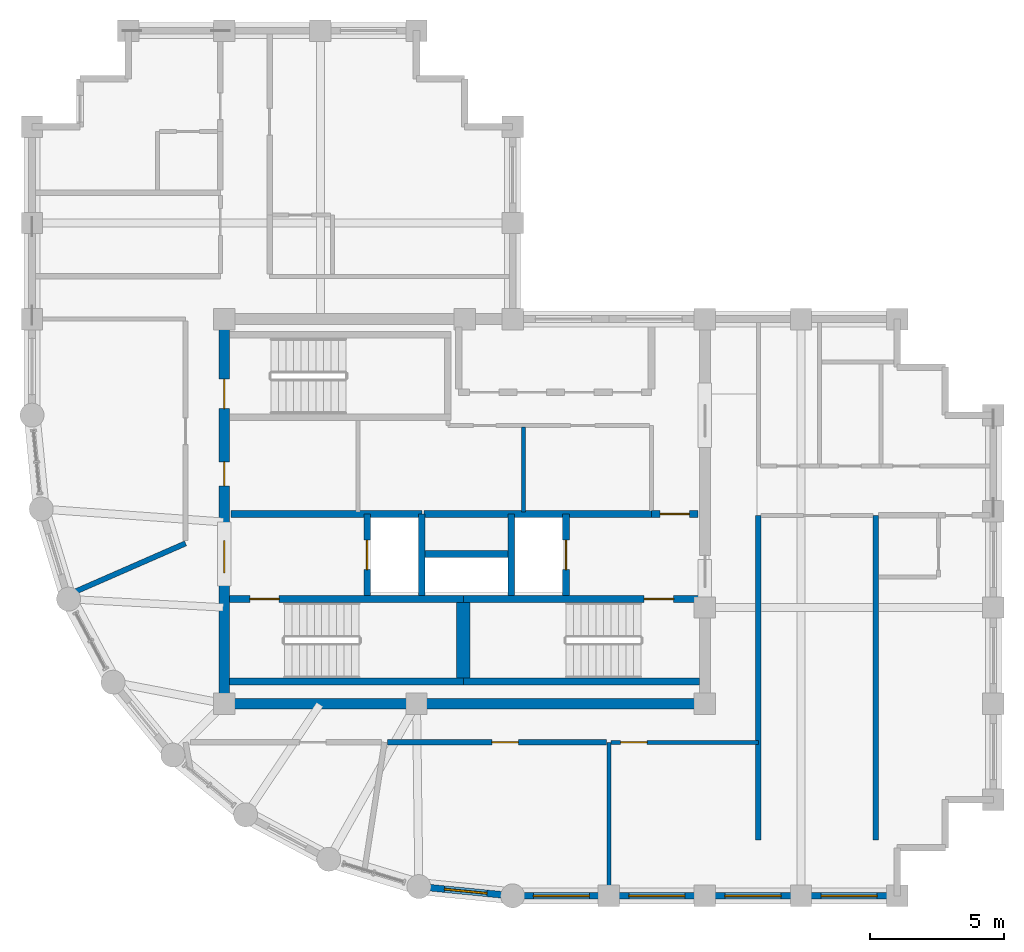
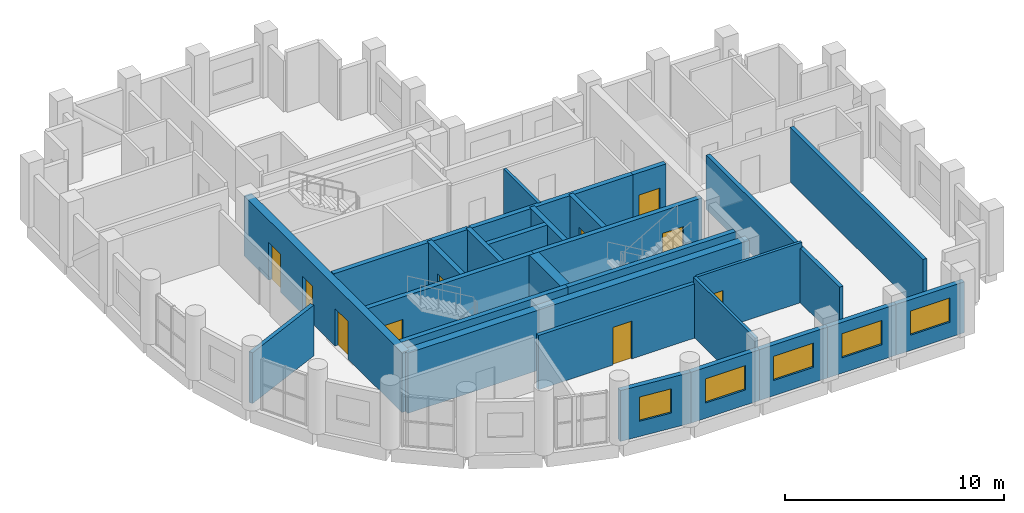
# One storey, part 7 of 11: 27 walls, 10 doors, 5 windows, 15 openings.
"""IFC4 building model written with IfcOpenShell, lengths in metres."""

from ifc_helpers import new_model, si_unit, direction, frame, frame_2d, origin, place, context, subcontext, project, spatial, rectangle, extrude, material, layer, layer_set, type_object, element, fill, save


model = new_model("IFC4")

# Units and contexts
model_context = context("Model", 3, precision=1e-05, world=origin(), true_north=direction((0.0, 1.0)))
body_context = subcontext(model_context, "Body", "Model", "MODEL_VIEW")
ifc_project = project(units=[si_unit("LENGTHUNIT", "METRE"), si_unit("AREAUNIT", "SQUARE_METRE"), si_unit("VOLUMEUNIT", "CUBIC_METRE"), si_unit("PLANEANGLEUNIT", "RADIAN"), si_unit("MASSUNIT", "GRAM", prefix="KILO")], contexts=[model_context])

# Site, building, storey
site_placement = place(None, origin())
site = spatial("IfcSite", under=ifc_project, at=site_placement, CompositionType="ELEMENT")
building_placement = place(site_placement, origin())
building = spatial("IfcBuilding", under=site, at=building_placement, Name="Solnavia Interchange Tower", CompositionType="ELEMENT")
storey_placement = place(building_placement, frame((0.0, 0.0, 239.0)))
storey = spatial("IfcBuildingStorey", under=building, at=storey_placement, Name="L60", CompositionType="ELEMENT", Elevation=239.0)

# Wall
ifc_material_1 = material(Name="Gypsum Acoustic Twin-Stud & Mineral Wool", Category="gypsum")
ifc_layer_1 = layer(ifc_material_1, 0.199951171875)
ifc_layer_set_1 = layer_set([ifc_layer_1], Name="Gypsum Acoustic Twin-Stud & Mineral Wool")
wall_type_1 = type_object("IfcWallType", Name="Wall-ApartmentParty-200", PredefinedType="PARTITIONING", material=ifc_layer_set_1)
wall_1_placement = place(storey_placement, frame((12.949951171875, 16.800048828125, 0.0), z_axis=(0.0, 0.0, 1.0), x_axis=(-0.916090997314, -0.400970428635, 0.0)))
element("IfcWall", 1, at=wall_1_placement, inside=storey, type_object=wall_type_1, Name="PTW-L60-09 Interior partition wall", PredefinedType="PARTITIONING", context=body_context, shape_type="SweptSolid", body=[
    extrude(rectangle(XDim=4.73095703125, YDim=0.199951171875, at=frame_2d((2.365478515625, 0.0))), origin(), (0.0, 0.0, 1.0), 2.830078125),
])

# Wall, opening, door
wall_2_placement = place(storey_placement, frame((20.50390625, 9.35009765625, 0.0), z_axis=(0.0, 0.0, 1.0), x_axis=(1.0, 0.0, 0.0)))
wall_2 = element("IfcWall", 2, at=wall_2_placement, inside=storey, type_object=wall_type_1, Name="PTW-L60-15 Interior partition wall", PredefinedType="PARTITIONING", context=body_context, shape_type="SweptSolid", body=[
    extrude(rectangle(XDim=8.217041015625, YDim=0.199951171875, at=frame_2d((4.1083984375, 0.0))), origin(), (0.0, 0.0, 1.0), 3.02001953125),
])
opening_1_placement = place(wall_2_placement, frame((3.9140625, 0.0, 0.0)))
opening_1 = element("IfcOpeningElement", 3, at=opening_1_placement, cuts=wall_2, Name="Opening DR-07", PredefinedType="OPENING", context=body_context, shape_type="SweptSolid", body=[
    extrude(rectangle(XDim=1.0, YDim=2.10009765625, at=frame_2d((0.5, 1.050048828125))), frame((0.0, 0.10986328125, 0.0), z_axis=(0.0, -1.0, 0.0), x_axis=(1.0, 0.0, 0.0)), (0.0, 0.0, 1.0), 0.219970703125),
])
ifc_material_2 = material(Name="Timber & Acoustic Glazed Office Door", Category="wood")
door_type_1 = type_object("IfcDoorType", Name="Door-Office-1000x2100", OperationType="SINGLE_SWING_RIGHT", PredefinedType="DOOR", material=ifc_material_2)
door_1_placement = place(opening_1_placement, origin())
door_1 = element("IfcDoor", 4, at=door_1_placement, inside=storey, type_object=door_type_1, Name="DR-L60-06 Interior room door", OperationType="SINGLE_SWING_RIGHT", OverallHeight=2.10009765625, OverallWidth=1.0, PredefinedType="DOOR", context=body_context, shape_type="SweptSolid", body=[
    extrude(rectangle(XDim=1.0, YDim=2.10009765625, at=frame_2d((0.5, 1.050048828125))), frame((0.0, 0.02490234375, 0.0), z_axis=(0.0, -1.0, 0.0), x_axis=(1.0, 0.0, 0.0)), (0.0, 0.0, 1.0), 0.050048828125),
])
fill(opening_1, door_1)

# Walls
for number, where, z_axis, x_axis, name in (
    (5, (34.39990234375, 5.699951171875, 0.0), (0.0, 0.0, 1.0), (0.0, 1.0, 0.0), "PTW-L60-17 Interior partition wall"),
    (6, (38.800048828125, 5.699951171875, 0.0), (0.0, 0.0, 1.0), (0.0, 1.0, 0.0), "PTW-L60-18 Interior partition wall"),
):
    element("IfcWall", number, at=place(storey_placement, frame(where, z_axis=z_axis, x_axis=x_axis)), inside=storey, type_object=wall_type_1, Name=name, PredefinedType="PARTITIONING", context=body_context, shape_type="SweptSolid", body=[
        extrude(rectangle(XDim=12.150146484375, YDim=0.199951171875, at=frame_2d((6.0751953125, 0.0))), origin(), (0.0, 0.0, 1.0), 3.030029296875),
    ])

# Wall, opening, window
ifc_material_3 = material(Name="Concrete C40/50", Category="concrete")
ifc_layer_2 = layer(ifc_material_3, 0.25)
ifc_layer_set_2 = layer_set([ifc_layer_2], Name="Concrete C40/50")
wall_type_2 = type_object("IfcWallType", Name="Wall-ExtSpandrel-250", PredefinedType="STANDARD", material=ifc_layer_set_2)
wall_3_placement = place(storey_placement, frame((28.800048828125, 3.60009765625, 0.0), z_axis=(0.0, 0.0, 1.0), x_axis=(-1.0, 0.0, 0.0)))
wall_3 = element("IfcWall", 7, at=wall_3_placement, inside=storey, type_object=wall_type_2, Name="EXW-L60-01 Exterior precast spandrel wall", PredefinedType="STANDARD", context=body_context, shape_type="SweptSolid", body=[
    extrude(rectangle(XDim=3.60009765625, YDim=0.25, at=frame_2d((1.800048828125, 0.0))), origin(), (0.0, 0.0, 1.0), 2.830078125),
])
opening_2_placement = place(wall_3_placement, frame((0.72509765625, 0.0, 0.85009765625)))
opening_2 = element("IfcOpeningElement", 8, at=opening_2_placement, cuts=wall_3, Name="Opening WIN-01", PredefinedType="OPENING", context=body_context, shape_type="SweptSolid", body=[
    extrude(rectangle(XDim=2.10009765625, YDim=1.35009765625, at=frame_2d((1.050048828125, 0.675048828125))), frame((0.0, 0.135009765625, 0.0), z_axis=(0.0, -1.0, 0.0), x_axis=(1.0, 0.0, 0.0)), (0.0, 0.0, 1.0), 0.27001953125),
])
ifc_material_4 = material(Name="Thermal-Break Aluminium & Low-E Glass", Category="aluminium")
window_type_1 = type_object("IfcWindowType", Name="Window-Ribbon-2100x1350", PartitioningType="SINGLE_PANEL", PredefinedType="WINDOW", material=ifc_material_4)
window_1_placement = place(opening_2_placement, origin())
window_1 = element("IfcWindow", 9, at=window_1_placement, inside=storey, type_object=window_type_1, Name="WIN-L60-01 Facade ribbon window", OverallHeight=1.35009765625, OverallWidth=2.10009765625, PartitioningType="SINGLE_PANEL", PredefinedType="WINDOW", context=body_context, shape_type="SweptSolid", body=[
    extrude(rectangle(XDim=2.10009765625, YDim=1.35009765625, at=frame_2d((1.050048828125, 0.675048828125))), frame((0.0, 0.030029296875, 0.0), z_axis=(0.0, -1.0, 0.0), x_axis=(1.0, 0.0, 0.0)), (0.0, 0.0, 1.0), 0.06005859375),
])
fill(opening_2, window_1)

wall_4_placement = place(storey_placement, frame((32.39990234375, 3.60009765625, 0.0), z_axis=(0.0, 0.0, 1.0), x_axis=(-1.0, 0.0, 0.0)))
wall_4 = element("IfcWall", 10, at=wall_4_placement, inside=storey, type_object=wall_type_2, Name="EXW-L60-02 Exterior precast spandrel wall", PredefinedType="STANDARD", context=body_context, shape_type="SweptSolid", body=[
    extrude(rectangle(XDim=3.599853515625, YDim=0.25, at=frame_2d((1.7998046875, 0.0))), origin(), (0.0, 0.0, 1.0), 2.830078125),
])
opening_3_placement = place(wall_4_placement, frame((0.75, 0.0, 0.85009765625)))
opening_3 = element("IfcOpeningElement", 11, at=opening_3_placement, cuts=wall_4, Name="Opening WIN-01", PredefinedType="OPENING", context=body_context, shape_type="SweptSolid", body=[
    extrude(rectangle(XDim=2.10009765625, YDim=1.35009765625, at=frame_2d((1.050048828125, 0.675048828125))), frame((0.0, 0.135009765625, 0.0), z_axis=(0.0, -1.0, 0.0), x_axis=(1.0, 0.0, 0.0)), (0.0, 0.0, 1.0), 0.27001953125),
])
window_2_placement = place(opening_3_placement, origin())
window_2 = element("IfcWindow", 12, at=window_2_placement, inside=storey, type_object=window_type_1, Name="WIN-L60-02 Facade ribbon window", OverallHeight=1.35009765625, OverallWidth=2.10009765625, PartitioningType="SINGLE_PANEL", PredefinedType="WINDOW", context=body_context, shape_type="SweptSolid", body=[
    extrude(rectangle(XDim=2.10009765625, YDim=1.35009765625, at=frame_2d((1.050048828125, 0.675048828125))), frame((0.0, 0.030029296875, 0.0), z_axis=(0.0, -1.0, 0.0), x_axis=(1.0, 0.0, 0.0)), (0.0, 0.0, 1.0), 0.06005859375),
])
fill(opening_3, window_2)

wall_5_placement = place(storey_placement, frame((36.0, 3.60009765625, 0.0), z_axis=(0.0, 0.0, 1.0), x_axis=(-1.0, 0.0, 0.0)))
wall_5 = element("IfcWall", 13, at=wall_5_placement, inside=storey, type_object=wall_type_2, Name="EXW-L60-03 Exterior precast spandrel wall", PredefinedType="STANDARD", context=body_context, shape_type="SweptSolid", body=[
    extrude(rectangle(XDim=3.60009765625, YDim=0.25, at=frame_2d((1.800048828125, 0.0))), origin(), (0.0, 0.0, 1.0), 2.830078125),
])
opening_4_placement = place(wall_5_placement, frame((0.75, 0.0, 0.85009765625)))
opening_4 = element("IfcOpeningElement", 14, at=opening_4_placement, cuts=wall_5, Name="Opening WIN-01", PredefinedType="OPENING", context=body_context, shape_type="SweptSolid", body=[
    extrude(rectangle(XDim=2.10009765625, YDim=1.35009765625, at=frame_2d((1.050048828125, 0.675048828125))), frame((0.0, 0.135009765625, 0.0), z_axis=(0.0, -1.0, 0.0), x_axis=(1.0, 0.0, 0.0)), (0.0, 0.0, 1.0), 0.27001953125),
])
window_3_placement = place(opening_4_placement, origin())
window_3 = element("IfcWindow", 15, at=window_3_placement, inside=storey, type_object=window_type_1, Name="WIN-L60-03 Facade ribbon window", OverallHeight=1.35009765625, OverallWidth=2.10009765625, PartitioningType="SINGLE_PANEL", PredefinedType="WINDOW", context=body_context, shape_type="SweptSolid", body=[
    extrude(rectangle(XDim=2.10009765625, YDim=1.35009765625, at=frame_2d((1.050048828125, 0.675048828125))), frame((0.0, 0.030029296875, 0.0), z_axis=(0.0, -1.0, 0.0), x_axis=(1.0, 0.0, 0.0)), (0.0, 0.0, 1.0), 0.06005859375),
])
fill(opening_4, window_3)

wall_6_placement = place(storey_placement, frame((39.60009765625, 3.60009765625, 0.0), z_axis=(0.0, 0.0, 1.0), x_axis=(-1.0, 0.0, 0.0)))
wall_6 = element("IfcWall", 16, at=wall_6_placement, inside=storey, type_object=wall_type_2, Name="EXW-L60-04 Exterior precast spandrel wall", PredefinedType="STANDARD", context=body_context, shape_type="SweptSolid", body=[
    extrude(rectangle(XDim=3.60009765625, YDim=0.25, at=frame_2d((1.800048828125, 0.0))), origin(), (0.0, 0.0, 1.0), 2.830078125),
])
opening_5_placement = place(wall_6_placement, frame((0.75, 0.0, 0.85009765625)))
opening_5 = element("IfcOpeningElement", 17, at=opening_5_placement, cuts=wall_6, Name="Opening WIN-01", PredefinedType="OPENING", context=body_context, shape_type="SweptSolid", body=[
    extrude(rectangle(XDim=2.10009765625, YDim=1.35009765625, at=frame_2d((1.050048828125, 0.675048828125))), frame((0.0, 0.135009765625, 0.0), z_axis=(0.0, -1.0, 0.0), x_axis=(1.0, 0.0, 0.0)), (0.0, 0.0, 1.0), 0.27001953125),
])
window_4_placement = place(opening_5_placement, origin())
window_4 = element("IfcWindow", 18, at=window_4_placement, inside=storey, type_object=window_type_1, Name="WIN-L60-04 Facade ribbon window", OverallHeight=1.35009765625, OverallWidth=2.10009765625, PartitioningType="SINGLE_PANEL", PredefinedType="WINDOW", context=body_context, shape_type="SweptSolid", body=[
    extrude(rectangle(XDim=2.10009765625, YDim=1.35009765625, at=frame_2d((1.050048828125, 0.675048828125))), frame((0.0, 0.030029296875, 0.0), z_axis=(0.0, -1.0, 0.0), x_axis=(1.0, 0.0, 0.0)), (0.0, 0.0, 1.0), 0.06005859375),
])
fill(opening_5, window_4)

wall_7_placement = place(storey_placement, frame((25.199951171875, 3.60009765625, 0.0), z_axis=(0.0, 0.0, 1.0), x_axis=(-0.995183369056, 0.098030923459, 0.0)))
wall_7 = element("IfcWall", 19, at=wall_7_placement, inside=storey, type_object=wall_type_2, Name="EXW-L60-44 Exterior precast spandrel wall", PredefinedType="STANDARD", context=body_context, shape_type="SweptSolid", body=[
    extrude(rectangle(XDim=3.529052734375, YDim=0.25, at=frame_2d((1.7646484375, 0.0))), origin(), (0.0, 0.0, 1.0), 2.830078125),
])
opening_6_placement = place(wall_7_placement, frame((0.965087890625, 0.0, 0.85009765625)))
opening_6 = element("IfcOpeningElement", 20, at=opening_6_placement, cuts=wall_7, Name="Opening WIN-04", PredefinedType="OPENING", context=body_context, shape_type="SweptSolid", body=[
    extrude(rectangle(XDim=1.60009765625, YDim=1.35009765625, at=frame_2d((0.800048828125, 0.675048828125))), frame((0.0, 0.135009765625, 0.0), z_axis=(0.0, -1.0, 0.0), x_axis=(1.0, 0.0, 0.0)), (0.0, 0.0, 1.0), 0.27001953125),
])
window_type_2 = type_object("IfcWindowType", Name="Window-Drum-1600x1350", PartitioningType="SINGLE_PANEL", PredefinedType="WINDOW", material=ifc_material_4)
window_5_placement = place(opening_6_placement, origin())
window_5 = element("IfcWindow", 21, at=window_5_placement, inside=storey, type_object=window_type_2, Name="WIN-L60-44 Facade ribbon window", OverallHeight=1.35009765625, OverallWidth=1.60009765625, PartitioningType="SINGLE_PANEL", PredefinedType="WINDOW", context=body_context, shape_type="SweptSolid", body=[
    extrude(rectangle(XDim=1.60009765625, YDim=1.35009765625, at=frame_2d((0.800048828125, 0.675048828125))), frame((0.0, 0.030029296875, 0.0), z_axis=(0.0, -1.0, 0.0), x_axis=(1.0, 0.0, 0.0)), (0.0, 0.0, 1.0), 0.06005859375),
])
fill(opening_6, window_5)

# Walls
ifc_material_5 = material(Name="Gypsum Plasterboard & Steel Stud", Category="steel")
ifc_layer_3 = layer(ifc_material_5, 0.14990234375)
ifc_layer_set_3 = layer_set([ifc_layer_3], Name="Gypsum Plasterboard & Steel Stud")
wall_type_3 = type_object("IfcWallType", Name="Wall-Partition-150", PredefinedType="PARTITIONING", material=ifc_layer_set_3)
wall_8_placement = place(storey_placement, frame((25.60009765625, 17.97998046875, 0.0), z_axis=(0.0, 0.0, 1.0), x_axis=(0.0, 1.0, 0.0)))
element("IfcWall", 22, at=wall_8_placement, inside=storey, type_object=wall_type_3, Name="CSW-L60-M2 Core shaft wall", PredefinedType="PARTITIONING", context=body_context, shape_type="SweptSolid", body=[
    extrude(rectangle(XDim=3.169921875, YDim=0.14990234375, at=frame_2d((1.5849609375, 0.0))), origin(), (0.0, 0.0, 1.0), 3.3349609375),
])
wall_9_placement = place(storey_placement, frame((28.800048828125, 9.35009765625, 0.0), z_axis=(0.0, 0.0, 1.0), x_axis=(0.0, -1.0, 0.0)))
element("IfcWall", 23, at=wall_9_placement, inside=storey, type_object=wall_type_3, Name="PTW-L60-08 Interior partition wall", PredefinedType="PARTITIONING", context=body_context, shape_type="SweptSolid", body=[
    extrude(rectangle(XDim=5.62109375, YDim=0.14990234375, at=frame_2d((2.810546875, 0.0))), origin(), (0.0, 0.0, 1.0), 3.3349609375),
])

# Wall, opening, door
wall_10_placement = place(storey_placement, frame((28.87890625, 9.35009765625, 0.0), z_axis=(0.0, 0.0, 1.0), x_axis=(1.0, 0.0, 0.0)))
wall_10 = element("IfcWall", 24, at=wall_10_placement, inside=storey, type_object=wall_type_3, Name="PTW-L60-16 Interior partition wall", PredefinedType="PARTITIONING", context=body_context, shape_type="SweptSolid", body=[
    extrude(rectangle(XDim=5.52099609375, YDim=0.14990234375, at=frame_2d((2.760498046875, 0.0))), origin(), (0.0, 0.0, 1.0), 3.3349609375),
])
opening_7_placement = place(wall_10_placement, frame((0.360107421875, 0.0, 0.0)))
opening_7 = element("IfcOpeningElement", 25, at=opening_7_placement, cuts=wall_10, Name="Opening DR-07", PredefinedType="OPENING", context=body_context, shape_type="SweptSolid", body=[
    extrude(rectangle(XDim=1.0, YDim=2.10009765625, at=frame_2d((0.5, 1.050048828125))), frame((0.0, 0.0849609375, 0.0), z_axis=(0.0, -1.0, 0.0), x_axis=(1.0, 0.0, 0.0)), (0.0, 0.0, 1.0), 0.169921875),
])
door_2_placement = place(opening_7_placement, origin())
door_2 = element("IfcDoor", 26, at=door_2_placement, inside=storey, type_object=door_type_1, Name="DR-L60-07 Interior room door", OperationType="SINGLE_SWING_LEFT", OverallHeight=2.10009765625, OverallWidth=1.0, PredefinedType="DOOR", context=body_context, shape_type="SweptSolid", body=[
    extrude(rectangle(XDim=1.0, YDim=2.10009765625, at=frame_2d((0.5, 1.050048828125))), frame((0.0, 0.02490234375, 0.0), z_axis=(0.0, -1.0, 0.0), x_axis=(1.0, 0.0, 0.0)), (0.0, 0.0, 1.0), 0.050048828125),
])
fill(opening_7, door_2)

# Wall
ifc_layer_4 = layer(ifc_material_3, 0.25)
ifc_layer_set_4 = layer_set([ifc_layer_4], Name="Concrete C40/50")
wall_type_4 = type_object("IfcWallType", Name="Wall-ShaftCore-250", PredefinedType="SHEAR", material=ifc_layer_set_4)
wall_11_placement = place(storey_placement, frame((14.60009765625, 11.625, 0.0), z_axis=(0.0, 0.0, 1.0), x_axis=(1.0, 0.0, 0.0)))
element("IfcWall", 27, at=wall_11_placement, inside=storey, type_object=wall_type_4, Name="SHW-L60-ST1S Core shear wall", PredefinedType="SHEAR", context=body_context, shape_type="SweptSolid", body=[
    extrude(rectangle(XDim=8.75, YDim=0.25, at=frame_2d((4.375, 0.0))), origin(), (0.0, 0.0, 1.0), 3.35009765625),
])

# Wall, opening, door
wall_12_placement = place(storey_placement, frame((14.60009765625, 14.715087890625, 0.0), z_axis=(0.0, 0.0, 1.0), x_axis=(1.0, 0.0, 0.0)))
wall_12 = element("IfcWall", 28, at=wall_12_placement, inside=storey, type_object=wall_type_4, Name="SHW-L60-ST1N Core shear wall", PredefinedType="SHEAR", context=body_context, shape_type="SweptSolid", body=[
    extrude(rectangle(XDim=8.75, YDim=0.25, at=frame_2d((4.375, 0.0))), origin(), (0.0, 0.0, 1.0), 3.35009765625),
])
opening_8_placement = place(wall_12_placement, frame((0.7548828125, 0.0, 0.0)))
opening_8 = element("IfcOpeningElement", 29, at=opening_8_placement, cuts=wall_12, Name="Opening DR-01", PredefinedType="OPENING", context=body_context, shape_type="SweptSolid", body=[
    extrude(rectangle(XDim=1.10009765625, YDim=2.10009765625, at=frame_2d((0.550048828125, 1.050048828125))), frame((0.0, 0.135009765625, 0.0), z_axis=(0.0, -1.0, 0.0), x_axis=(1.0, 0.0, 0.0)), (0.0, 0.0, 1.0), 0.27001953125),
])
ifc_material_6 = material(Name="Steel Fire-Rated Leaf & Frame", Category="steel")
door_type_2 = type_object("IfcDoorType", Name="Door-StairFire-1100x2100", OperationType="SINGLE_SWING_LEFT", PredefinedType="DOOR", material=ifc_material_6)
door_3_placement = place(opening_8_placement, origin())
door_3 = element("IfcDoor", 30, at=door_3_placement, inside=storey, type_object=door_type_2, Name="DR-L60-ST1 Core fire door", OperationType="SINGLE_SWING_LEFT", OverallHeight=2.10009765625, OverallWidth=1.10009765625, PredefinedType="DOOR", context=body_context, shape_type="SweptSolid", body=[
    extrude(rectangle(XDim=1.10009765625, YDim=2.10009765625, at=frame_2d((0.550048828125, 1.050048828125))), frame((0.0, 0.02490234375, 0.0), z_axis=(0.0, -1.0, 0.0), x_axis=(1.0, 0.0, 0.0)), (0.0, 0.0, 1.0), 0.050048828125),
])
fill(opening_8, door_3)

# Wall
wall_13_placement = place(storey_placement, frame((23.35009765625, 11.625, 0.0), z_axis=(0.0, 0.0, 1.0), x_axis=(1.0, 0.0, 0.0)))
element("IfcWall", 31, at=wall_13_placement, inside=storey, type_object=wall_type_4, Name="SHW-L60-ST2S Core shear wall", PredefinedType="SHEAR", context=body_context, shape_type="SweptSolid", body=[
    extrude(rectangle(XDim=8.849853515625, YDim=0.25, at=frame_2d((4.4248046875, 0.0))), origin(), (0.0, 0.0, 1.0), 3.35009765625),
])

# Wall, opening, door
wall_14_placement = place(storey_placement, frame((23.35009765625, 14.715087890625, 0.0), z_axis=(0.0, 0.0, 1.0), x_axis=(1.0, 0.0, 0.0)))
wall_14 = element("IfcWall", 32, at=wall_14_placement, inside=storey, type_object=wall_type_4, Name="SHW-L60-ST2N Core shear wall", PredefinedType="SHEAR", context=body_context, shape_type="SweptSolid", body=[
    extrude(rectangle(XDim=8.849853515625, YDim=0.25, at=frame_2d((4.4248046875, 0.0))), origin(), (0.0, 0.0, 1.0), 3.35009765625),
])
opening_9_placement = place(wall_14_placement, frame((6.77490234375, 0.0, 0.0)))
opening_9 = element("IfcOpeningElement", 33, at=opening_9_placement, cuts=wall_14, Name="Opening DR-01", PredefinedType="OPENING", context=body_context, shape_type="SweptSolid", body=[
    extrude(rectangle(XDim=1.10009765625, YDim=2.10009765625, at=frame_2d((0.550048828125, 1.050048828125))), frame((0.0, 0.135009765625, 0.0), z_axis=(0.0, -1.0, 0.0), x_axis=(1.0, 0.0, 0.0)), (0.0, 0.0, 1.0), 0.27001953125),
])
door_4_placement = place(opening_9_placement, origin())
door_4 = element("IfcDoor", 34, at=door_4_placement, inside=storey, type_object=door_type_2, Name="DR-L60-ST2 Core fire door", OperationType="SINGLE_SWING_LEFT", OverallHeight=2.10009765625, OverallWidth=1.10009765625, PredefinedType="DOOR", context=body_context, shape_type="SweptSolid", body=[
    extrude(rectangle(XDim=1.10009765625, YDim=2.10009765625, at=frame_2d((0.550048828125, 1.050048828125))), frame((0.0, 0.02490234375, 0.0), z_axis=(0.0, -1.0, 0.0), x_axis=(1.0, 0.0, 0.0)), (0.0, 0.0, 1.0), 0.050048828125),
])
fill(opening_9, door_4)

# Wall
ifc_layer_5 = layer(ifc_material_3, 0.25)
ifc_layer_set_5 = layer_set([ifc_layer_5], Name="Concrete C40/50")
wall_type_5 = type_object("IfcWallType", Name="Wall-ShaftPart-250", PredefinedType="PARTITIONING", material=ifc_layer_set_5)
wall_15_placement = place(storey_placement, frame((14.64990234375, 17.89990234375, 0.0), z_axis=(0.0, 0.0, 1.0), x_axis=(1.0, 0.0, 0.0)))
element("IfcWall", 35, at=wall_15_placement, inside=storey, type_object=wall_type_5, Name="SHW-L60-FFLW-N Core shaft wall", PredefinedType="PARTITIONING", context=body_context, shape_type="SweptSolid", body=[
    extrude(rectangle(XDim=7.150146484375, YDim=0.25, at=frame_2d((3.5751953125, 0.0))), origin(), (0.0, 0.0, 1.0), 3.3349609375),
])

# Wall, opening, door
wall_16_placement = place(storey_placement, frame((19.75, 14.840087890625, 0.0), z_axis=(0.0, 0.0, 1.0), x_axis=(0.0, 1.0, 0.0)))
wall_16 = element("IfcWall", 36, at=wall_16_placement, inside=storey, type_object=wall_type_5, Name="SHW-L60-FFL1-W Core shaft wall", PredefinedType="PARTITIONING", context=body_context, shape_type="SweptSolid", body=[
    extrude(rectangle(XDim=3.059814453125, YDim=0.25, at=frame_2d((1.52978515625, 0.0))), origin(), (0.0, 0.0, 1.0), 3.3349609375),
])
opening_10_placement = place(wall_16_placement, frame((0.97998046875, 0.0, 0.0)))
opening_10 = element("IfcOpeningElement", 37, at=opening_10_placement, cuts=wall_16, Name="Opening LD-01", PredefinedType="OPENING", context=body_context, shape_type="SweptSolid", body=[
    extrude(rectangle(XDim=1.10009765625, YDim=2.10009765625, at=frame_2d((0.550048828125, 1.050048828125))), frame((0.0, 0.135009765625, 0.0), z_axis=(0.0, -1.0, 0.0), x_axis=(1.0, 0.0, 0.0)), (0.0, 0.0, 1.0), 0.27001953125),
])
ifc_material_7 = material(Name="Brushed Stainless Steel Sliding Door", Category="steel")
door_type_3 = type_object("IfcDoorType", Name="Door-LiftLanding-1100x2100", OperationType="SLIDING_TO_LEFT", PredefinedType="DOOR", material=ifc_material_7)
door_5_placement = place(opening_10_placement, origin())
door_5 = element("IfcDoor", 38, at=door_5_placement, inside=storey, type_object=door_type_3, Name="LD-L60-FFL1 Lift landing sliding door", OperationType="SLIDING_TO_LEFT", OverallHeight=2.10009765625, OverallWidth=1.10009765625, PredefinedType="DOOR", context=body_context, shape_type="SweptSolid", body=[
    extrude(rectangle(XDim=1.10009765625, YDim=2.10009765625, at=frame_2d((0.550048828125, 1.050048828125))), frame((0.0, 0.02490234375, 0.0), z_axis=(0.0, -1.0, 0.0), x_axis=(1.0, 0.0, 0.0)), (0.0, 0.0, 1.0), 0.050048828125),
])
fill(opening_10, door_5)

# Walls
wall_17_placement = place(storey_placement, frame((21.800048828125, 14.840087890625, 0.0), z_axis=(0.0, 0.0, 1.0), x_axis=(0.0, 1.0, 0.0)))
element("IfcWall", 39, at=wall_17_placement, inside=storey, type_object=wall_type_5, Name="SHW-L60-FFL1-E Core shaft wall", PredefinedType="PARTITIONING", context=body_context, shape_type="SweptSolid", body=[
    extrude(rectangle(XDim=3.059814453125, YDim=0.25, at=frame_2d((1.52978515625, 0.0))), origin(), (0.0, 0.0, 1.0), 3.3349609375),
])
wall_18_placement = place(storey_placement, frame((21.8798828125, 17.89990234375, 0.0), z_axis=(0.0, 0.0, 1.0), x_axis=(1.0, 0.0, 0.0)))
element("IfcWall", 40, at=wall_18_placement, inside=storey, type_object=wall_type_5, Name="SHW-L60-FFLE-N1 Core shaft wall", PredefinedType="PARTITIONING", context=body_context, shape_type="SweptSolid", body=[
    extrude(rectangle(XDim=8.52001953125, YDim=0.25, at=frame_2d((4.260009765625, 0.0))), origin(), (0.0, 0.0, 1.0), 3.3349609375),
])

# Wall, opening, door
wall_19_placement = place(storey_placement, frame((30.39990234375, 17.89990234375, 0.0), z_axis=(0.0, 0.0, 1.0), x_axis=(1.0, 0.0, 0.0)))
wall_19 = element("IfcWall", 41, at=wall_19_placement, inside=storey, type_object=wall_type_5, Name="SHW-L60-FFLE-N2 Core shaft wall", PredefinedType="PARTITIONING", context=body_context, shape_type="SweptSolid", body=[
    extrude(rectangle(XDim=1.75, YDim=0.25, at=frame_2d((0.875, 0.0))), origin(), (0.0, 0.0, 1.0), 3.3349609375),
])
opening_11_placement = place(wall_19_placement, frame((0.320068359375, 0.0, 0.0)))
opening_11 = element("IfcOpeningElement", 42, at=opening_11_placement, cuts=wall_19, Name="Opening DR-01", PredefinedType="OPENING", context=body_context, shape_type="SweptSolid", body=[
    extrude(rectangle(XDim=1.10009765625, YDim=2.10009765625, at=frame_2d((0.550048828125, 1.050048828125))), frame((0.0, 0.135009765625, 0.0), z_axis=(0.0, -1.0, 0.0), x_axis=(1.0, 0.0, 0.0)), (0.0, 0.0, 1.0), 0.27001953125),
])
door_6_placement = place(opening_11_placement, origin())
door_6 = element("IfcDoor", 43, at=door_6_placement, inside=storey, type_object=door_type_2, Name="DR-L60-LLC Core fire door", OperationType="SINGLE_SWING_LEFT", OverallHeight=2.10009765625, OverallWidth=1.10009765625, PredefinedType="DOOR", context=body_context, shape_type="SweptSolid", body=[
    extrude(rectangle(XDim=1.10009765625, YDim=2.10009765625, at=frame_2d((0.550048828125, 1.050048828125))), frame((0.0, 0.02490234375, 0.0), z_axis=(0.0, -1.0, 0.0), x_axis=(1.0, 0.0, 0.0)), (0.0, 0.0, 1.0), 0.050048828125),
])
fill(opening_11, door_6)

# Wall
wall_20_placement = place(storey_placement, frame((25.14990234375, 14.840087890625, 0.0), z_axis=(0.0, 0.0, 1.0), x_axis=(0.0, 1.0, 0.0)))
element("IfcWall", 44, at=wall_20_placement, inside=storey, type_object=wall_type_5, Name="SHW-L60-FFL2-W Core shaft wall", PredefinedType="PARTITIONING", context=body_context, shape_type="SweptSolid", body=[
    extrude(rectangle(XDim=3.059814453125, YDim=0.25, at=frame_2d((1.52978515625, 0.0))), origin(), (0.0, 0.0, 1.0), 3.3349609375),
])

# Wall, opening, door
wall_21_placement = place(storey_placement, frame((27.199951171875, 14.840087890625, 0.0), z_axis=(0.0, 0.0, 1.0), x_axis=(0.0, 1.0, 0.0)))
wall_21 = element("IfcWall", 45, at=wall_21_placement, inside=storey, type_object=wall_type_5, Name="SHW-L60-FFL2-E Core shaft wall", PredefinedType="PARTITIONING", context=body_context, shape_type="SweptSolid", body=[
    extrude(rectangle(XDim=3.059814453125, YDim=0.25, at=frame_2d((1.52978515625, 0.0))), origin(), (0.0, 0.0, 1.0), 3.3349609375),
])
opening_12_placement = place(wall_21_placement, frame((0.97998046875, 0.0, 0.0)))
opening_12 = element("IfcOpeningElement", 46, at=opening_12_placement, cuts=wall_21, Name="Opening LD-01", PredefinedType="OPENING", context=body_context, shape_type="SweptSolid", body=[
    extrude(rectangle(XDim=1.10009765625, YDim=2.10009765625, at=frame_2d((0.550048828125, 1.050048828125))), frame((0.0, 0.135009765625, 0.0), z_axis=(0.0, -1.0, 0.0), x_axis=(1.0, 0.0, 0.0)), (0.0, 0.0, 1.0), 0.27001953125),
])
door_7_placement = place(opening_12_placement, origin())
door_7 = element("IfcDoor", 47, at=door_7_placement, inside=storey, type_object=door_type_3, Name="LD-L60-FFL2 Lift landing sliding door", OperationType="SLIDING_TO_LEFT", OverallHeight=2.10009765625, OverallWidth=1.10009765625, PredefinedType="DOOR", context=body_context, shape_type="SweptSolid", body=[
    extrude(rectangle(XDim=1.10009765625, YDim=2.10009765625, at=frame_2d((0.550048828125, 1.050048828125))), frame((0.0, 0.02490234375, 0.0), z_axis=(0.0, -1.0, 0.0), x_axis=(1.0, 0.0, 0.0)), (0.0, 0.0, 1.0), 0.050048828125),
])
fill(opening_12, door_7)

# Walls
wall_22_placement = place(storey_placement, frame((21.800048828125, 16.39990234375, 0.0), z_axis=(0.0, 0.0, 1.0), x_axis=(1.0, 0.0, 0.0)))
element("IfcWall", 48, at=wall_22_placement, inside=storey, type_object=wall_type_5, Name="SHW-L60-MEP-N Core shaft wall", PredefinedType="PARTITIONING", context=body_context, shape_type="SweptSolid", body=[
    extrude(rectangle(XDim=3.349853515625, YDim=0.25, at=frame_2d((1.6748046875, 0.0))), origin(), (0.0, 0.0, 1.0), 3.3349609375),
])
ifc_material_8 = material(Name="Concrete C50/60", Category="concrete")
ifc_layer_6 = layer(ifc_material_8, 0.39990234375)
ifc_layer_set_6 = layer_set([ifc_layer_6], Name="Concrete C50/60")
wall_type_6 = type_object("IfcWallType", Name="Wall-ShearCore-400", PredefinedType="SHEAR", material=ifc_layer_set_6)
wall_23_placement = place(storey_placement, frame((14.39990234375, 10.800048828125, 0.0), z_axis=(0.0, 0.0, 1.0), x_axis=(1.0, 0.0, 0.0)))
element("IfcWall", 49, at=wall_23_placement, inside=storey, type_object=wall_type_6, Name="CRW-L60-S Core shear wall", PredefinedType="SHEAR", context=body_context, shape_type="SweptSolid", body=[
    extrude(rectangle(XDim=18.0, YDim=0.39990234375, at=frame_2d((9.0, 0.0))), origin(), (0.0, 0.0, 1.0), 3.35009765625),
])

# Wall, openings, doors
wall_24_placement = place(storey_placement, frame((14.39990234375, 10.800048828125, 0.0), z_axis=(0.0, 0.0, 1.0), x_axis=(0.0, 1.0, 0.0)))
wall_24 = element("IfcWall", 50, at=wall_24_placement, inside=storey, type_object=wall_type_6, Name="CRW-L60-W Core shear wall", PredefinedType="SHEAR", context=body_context, shape_type="SweptSolid", body=[
    extrude(rectangle(XDim=14.39990234375, YDim=0.39990234375, at=frame_2d((7.199951171875, 0.0))), origin(), (0.0, 0.0, 1.0), 3.35009765625),
])
opening_13_placement = place(wall_24_placement, frame((11.050048828125, 0.0, 0.0)))
opening_13 = element("IfcOpeningElement", 51, at=opening_13_placement, cuts=wall_24, Name="Opening DR-01", PredefinedType="OPENING", context=body_context, shape_type="SweptSolid", body=[
    extrude(rectangle(XDim=1.10009765625, YDim=2.10009765625, at=frame_2d((0.550048828125, 1.050048828125))), frame((0.0, 0.2099609375, 0.0), z_axis=(0.0, -1.0, 0.0), x_axis=(1.0, 0.0, 0.0)), (0.0, 0.0, 1.0), 0.419921875),
])
opening_14_placement = place(wall_24_placement, frame((4.89990234375, 0.0, 0.0)))
opening_14 = element("IfcOpeningElement", 52, at=opening_14_placement, cuts=wall_24, Name="Opening DR-02", PredefinedType="OPENING", context=body_context, shape_type="SweptSolid", body=[
    extrude(rectangle(XDim=1.199951171875, YDim=2.10009765625, at=frame_2d((0.60009765625, 1.050048828125))), frame((0.0, 0.2099609375, 0.0), z_axis=(0.0, -1.0, 0.0), x_axis=(1.0, 0.0, 0.0)), (0.0, 0.0, 1.0), 0.419921875),
])
opening_15_placement = place(wall_24_placement, frame((8.14990234375, 0.0, 0.0)))
opening_15 = element("IfcOpeningElement", 53, at=opening_15_placement, cuts=wall_24, Name="Opening DR-09", PredefinedType="OPENING", context=body_context, shape_type="SweptSolid", body=[
    extrude(rectangle(XDim=0.89990234375, YDim=2.10009765625, at=frame_2d((0.449951171875, 1.050048828125))), frame((0.0, 0.2099609375, 0.0), z_axis=(0.0, -1.0, 0.0), x_axis=(1.0, 0.0, 0.0)), (0.0, 0.0, 1.0), 0.419921875),
])
ifc_material_9 = material(Name="Engineered Oak Veneer Door", Category="wood")
door_type_4 = type_object("IfcDoorType", Name="Door-Internal-900x2100", OperationType="SINGLE_SWING_LEFT", PredefinedType="DOOR", material=ifc_material_9)
door_8_placement = place(opening_15_placement, origin())
door_8 = element("IfcDoor", 54, at=door_8_placement, inside=storey, type_object=door_type_4, Name="DR-L60-CS1 Core fire door", OperationType="SINGLE_SWING_RIGHT", OverallHeight=2.10009765625, OverallWidth=0.89990234375, PredefinedType="DOOR", context=body_context, shape_type="SweptSolid", body=[
    extrude(rectangle(XDim=0.89990234375, YDim=2.10009765625, at=frame_2d((0.449951171875, 1.050048828125))), frame((0.0, 0.02490234375, 0.0), z_axis=(0.0, -1.0, 0.0), x_axis=(1.0, 0.0, 0.0)), (0.0, 0.0, 1.0), 0.050048828125),
])
fill(opening_15, door_8)
ifc_material_10 = material(Name="Steel Fire-Rated Vision-Panel Door", Category="steel")
door_type_5 = type_object("IfcDoorType", Name="Door-LobbyFire-1200x2100", OperationType="SINGLE_SWING_RIGHT", PredefinedType="DOOR", material=ifc_material_10)
door_9_placement = place(opening_14_placement, origin())
door_9 = element("IfcDoor", 55, at=door_9_placement, inside=storey, type_object=door_type_5, Name="DR-L60-FFL1W Core fire door", OperationType="SINGLE_SWING_RIGHT", OverallHeight=2.10009765625, OverallWidth=1.199951171875, PredefinedType="DOOR", context=body_context, shape_type="SweptSolid", body=[
    extrude(rectangle(XDim=1.199951171875, YDim=2.10009765625, at=frame_2d((0.60009765625, 1.050048828125))), frame((0.0, 0.02490234375, 0.0), z_axis=(0.0, -1.0, 0.0), x_axis=(1.0, 0.0, 0.0)), (0.0, 0.0, 1.0), 0.050048828125),
])
fill(opening_14, door_9)
door_10_placement = place(opening_13_placement, origin())
door_10 = element("IfcDoor", 56, at=door_10_placement, inside=storey, type_object=door_type_2, Name="DR-L60-ST3 Core fire door", OperationType="SINGLE_SWING_RIGHT", OverallHeight=2.10009765625, OverallWidth=1.10009765625, PredefinedType="DOOR", context=body_context, shape_type="SweptSolid", body=[
    extrude(rectangle(XDim=1.10009765625, YDim=2.10009765625, at=frame_2d((0.550048828125, 1.050048828125))), frame((0.0, 0.02490234375, 0.0), z_axis=(0.0, -1.0, 0.0), x_axis=(1.0, 0.0, 0.0)), (0.0, 0.0, 1.0), 0.050048828125),
])
fill(opening_13, door_10)

# Wall
ifc_material_11 = material(Name="Concrete C60/75", Category="concrete")
ifc_layer_7 = layer(ifc_material_11, 0.5)
ifc_layer_set_7 = layer_set([ifc_layer_7], Name="Concrete C60/75")
wall_type_7 = type_object("IfcWallType", Name="Wall-ShearCore-500", PredefinedType="SHEAR", material=ifc_layer_set_7)
wall_25_placement = place(storey_placement, frame((23.35009765625, 11.75, 0.0), z_axis=(0.0, 0.0, 1.0), x_axis=(0.0, 1.0, 0.0)))
element("IfcWall", 57, at=wall_25_placement, inside=storey, type_object=wall_type_7, Name="SHW-L60-ST12M Core shear wall", PredefinedType="SHEAR", context=body_context, shape_type="SweptSolid", body=[
    extrude(rectangle(XDim=2.840087890625, YDim=0.5, at=frame_2d((1.419921875, 0.0))), origin(), (0.0, 0.0, 1.0), 3.35009765625),
])

save(model, "model.ifc")
